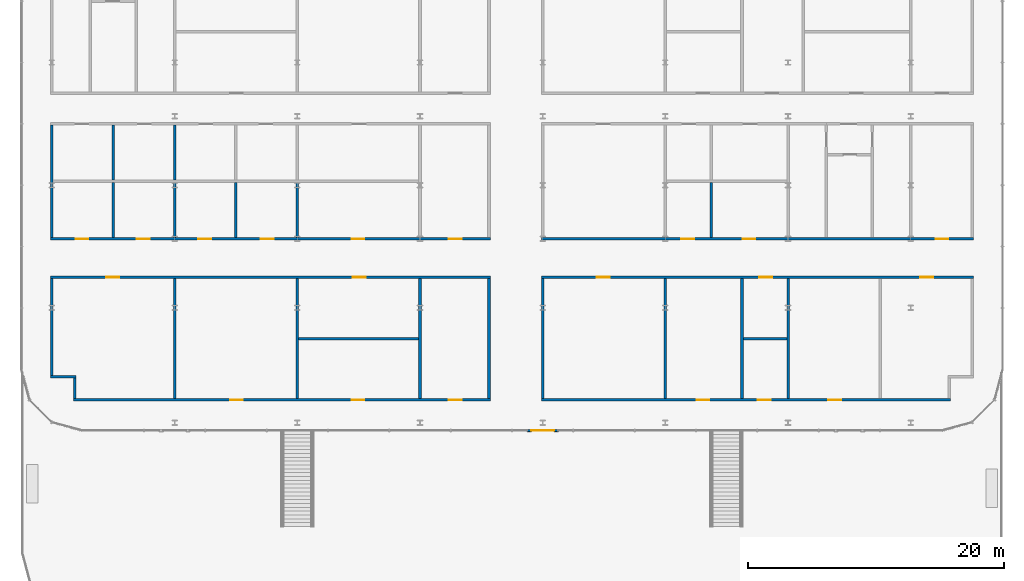
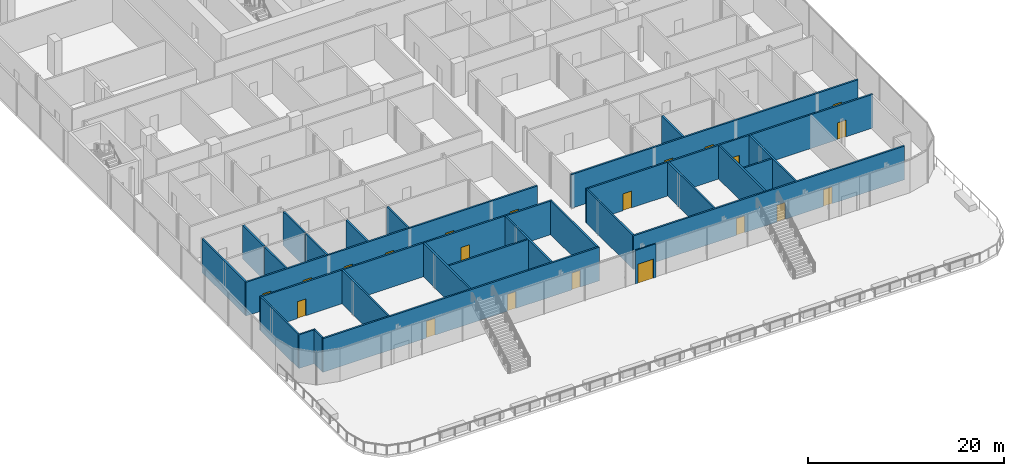
# One storey, part 31 of 45: 28 walls, 21 doors, 21 openings.
"""IFC4 building model written with IfcOpenShell, lengths in metres."""

from ifc_helpers import new_model, si_unit, direction, frame, frame_2d, origin, place, context, subcontext, project, spatial, rectangle, extrude, material, layer, layer_set, type_object, element, fill, save


model = new_model("IFC4")

# Units and contexts
model_context = context("Model", 3, precision=1e-05, world=origin(), true_north=direction((0.0, 1.0)))
body_context = subcontext(model_context, "Body", "Model", "MODEL_VIEW")
ifc_project = project(units=[si_unit("LENGTHUNIT", "METRE"), si_unit("AREAUNIT", "SQUARE_METRE"), si_unit("VOLUMEUNIT", "CUBIC_METRE"), si_unit("PLANEANGLEUNIT", "RADIAN"), si_unit("MASSUNIT", "GRAM", prefix="KILO")], contexts=[model_context])

# Site, building, storey
site_placement = place(None, origin())
site = spatial("IfcSite", under=ifc_project, at=site_placement, CompositionType="ELEMENT")
building_placement = place(site_placement, origin())
building = spatial("IfcBuilding", under=site, at=building_placement, Name="Madar Terraces", CompositionType="ELEMENT")
storey_placement = place(building_placement, frame((0.0, 0.0, 6.0)))
storey = spatial("IfcBuildingStorey", under=building, at=storey_placement, Name="L01", CompositionType="ELEMENT", Elevation=6.0)

# Wall, opening, door
ifc_material_1 = material(Name="Aluminium composite panel, black, over insulated backing", Category="aluminium")
ifc_layer_1 = layer(ifc_material_1, 0.14990234375)
ifc_layer_set_1 = layer_set([ifc_layer_1], Name="Facade bay panel 150")
wall_type_1 = type_object("IfcWallType", Name="Facade bay panel 150", PredefinedType="SOLIDWALL", material=ifc_layer_set_1)
wall_1_placement = place(storey_placement, frame((32.39990234375, -38.39990234375, 0.0), z_axis=(0.0, 0.0, 1.0), x_axis=(1.0, 0.0, 0.0)))
wall_1 = element("IfcWall", 1, at=wall_1_placement, inside=storey, type_object=wall_type_1, Name="Facade bay panel", PredefinedType="SOLIDWALL", context=body_context, shape_type="SweptSolid", body=[
    extrude(rectangle(XDim=2.400146484375, YDim=0.14990234375, at=frame_2d((1.2001953125, 0.0))), origin(), (0.0, 0.0, 1.0), 4.199951171875),
])
opening_1_placement = place(wall_1_placement, frame((0.300048828125, 0.0, 0.0)))
opening_1 = element("IfcOpeningElement", 2, at=opening_1_placement, cuts=wall_1, Name="Opening ED1", PredefinedType="OPENING", context=body_context, shape_type="SweptSolid", body=[
    extrude(rectangle(XDim=1.800048828125, YDim=2.39990234375, at=frame_2d((0.89990234375, 1.199951171875))), frame((0.0, 0.0849609375, 0.0), z_axis=(0.0, -1.0, 0.0), x_axis=(1.0, 0.0, 0.0)), (0.0, 0.0, 1.0), 0.169921875),
])
ifc_material_2 = material(Name="Glass, clear, with black aluminium frame", Category="aluminium")
door_type_1 = type_object("IfcDoorType", Name="Balcony and terrace sliding door 1800 x 2400", OperationType="SLIDING_TO_LEFT", PredefinedType="DOOR", material=ifc_material_2)
door_1_placement = place(opening_1_placement, origin())
door_1 = element("IfcDoor", 3, at=door_1_placement, inside=storey, type_object=door_type_1, Name="Balcony door", OperationType="SLIDING_TO_RIGHT", OverallHeight=2.39990234375, OverallWidth=1.800048828125, PredefinedType="DOOR", context=body_context, shape_type="SweptSolid", body=[
    extrude(rectangle(XDim=1.800048828125, YDim=2.39990234375, at=frame_2d((0.89990234375, 1.199951171875))), frame((0.0, 0.02490234375, 0.0), z_axis=(0.0, -1.0, 0.0), x_axis=(1.0, 0.0, 0.0)), (0.0, 0.0, 1.0), 0.050048828125),
])
fill(opening_1, door_1)

# Wall, openings, doors
ifc_material_3 = material(Name="Gypsum board partition, fire-rated")
ifc_layer_2 = layer(ifc_material_3, 0.199951171875)
ifc_layer_set_2 = layer_set([ifc_layer_2], Name="Partition 200 EI 60")
wall_type_2 = type_object("IfcWallType", Name="Partition 200 EI 60", PredefinedType="PARTITIONING", material=ifc_layer_set_2)
wall_2_placement = place(storey_placement, frame((-3.10009765625, -36.0, 0.0), z_axis=(0.0, 0.0, 1.0), x_axis=(1.0, 0.0, 0.0)))
wall_2 = element("IfcWall", 4, at=wall_2_placement, inside=storey, type_object=wall_type_2, Name="Wall OFFICE + SPECIMEN STORE", PredefinedType="PARTITIONING", context=body_context, shape_type="SweptSolid", body=[
    extrude(rectangle(XDim=32.60009765625, YDim=0.199951171875, at=frame_2d((16.300048828125, 0.0))), origin(), (0.0, 0.0, 1.0), 4.199951171875),
])
opening_2_placement = place(wall_2_placement, frame((12.25, 0.0, 0.0)))
opening_2 = element("IfcOpeningElement", 5, at=opening_2_placement, cuts=wall_2, Name="Opening D31", PredefinedType="OPENING", context=body_context, shape_type="SweptSolid", body=[
    extrude(rectangle(XDim=1.0, YDim=2.10009765625, at=frame_2d((0.5, 1.050048828125))), frame((0.0, 0.10986328125, 0.0), z_axis=(0.0, -1.0, 0.0), x_axis=(1.0, 0.0, 0.0)), (0.0, 0.0, 1.0), 0.219970703125),
])
opening_3_placement = place(wall_2_placement, frame((21.75, 0.0, 0.0)))
opening_3 = element("IfcOpeningElement", 6, at=opening_3_placement, cuts=wall_2, Name="Opening D31", PredefinedType="OPENING", context=body_context, shape_type="SweptSolid", body=[
    extrude(rectangle(XDim=1.0, YDim=2.10009765625, at=frame_2d((0.5, 1.050048828125))), frame((0.0, 0.10986328125, 0.0), z_axis=(0.0, -1.0, 0.0), x_axis=(1.0, 0.0, 0.0)), (0.0, 0.0, 1.0), 0.219970703125),
])
opening_4_placement = place(wall_2_placement, frame((29.35009765625, 0.0, 0.0)))
opening_4 = element("IfcOpeningElement", 7, at=opening_4_placement, cuts=wall_2, Name="Opening D31", PredefinedType="OPENING", context=body_context, shape_type="SweptSolid", body=[
    extrude(rectangle(XDim=1.0, YDim=2.10009765625, at=frame_2d((0.5, 1.050048828125))), frame((0.0, 0.10986328125, 0.0), z_axis=(0.0, -1.0, 0.0), x_axis=(1.0, 0.0, 0.0)), (0.0, 0.0, 1.0), 0.219970703125),
])
ifc_material_4 = material(Name="Timber door leaf, fire-rated", Category="wood")
door_type_2 = type_object("IfcDoorType", Name="Podium door 1000 x 2100 FD30S", OperationType="NOTDEFINED", PredefinedType="DOOR", material=ifc_material_4)
door_2_placement = place(opening_2_placement, origin())
door_2 = element("IfcDoor", 8, at=door_2_placement, inside=storey, type_object=door_type_2, Name="Door STAFF ROOM / PODIUM CORRIDOR", OperationType="SINGLE_SWING_RIGHT", OverallHeight=2.10009765625, OverallWidth=1.0, PredefinedType="DOOR", context=body_context, shape_type="SweptSolid", body=[
    extrude(rectangle(XDim=1.0, YDim=2.10009765625, at=frame_2d((0.5, 1.050048828125))), frame((0.0, 0.02490234375, 0.0), z_axis=(0.0, -1.0, 0.0), x_axis=(1.0, 0.0, 0.0)), (0.0, 0.0, 1.0), 0.050048828125),
])
fill(opening_2, door_2)
door_3_placement = place(opening_3_placement, origin())
door_3 = element("IfcDoor", 9, at=door_3_placement, inside=storey, type_object=door_type_2, Name="Door SPECIMEN STORE / PODIUM CORRIDOR", OperationType="SINGLE_SWING_LEFT", OverallHeight=2.10009765625, OverallWidth=1.0, PredefinedType="DOOR", context=body_context, shape_type="SweptSolid", body=[
    extrude(rectangle(XDim=1.0, YDim=2.10009765625, at=frame_2d((0.5, 1.050048828125))), frame((0.0, 0.02490234375, 0.0), z_axis=(0.0, -1.0, 0.0), x_axis=(1.0, 0.0, 0.0)), (0.0, 0.0, 1.0), 0.050048828125),
])
fill(opening_3, door_3)
door_4_placement = place(opening_4_placement, origin())
door_4 = element("IfcDoor", 10, at=door_4_placement, inside=storey, type_object=door_type_2, Name="Door OFFICE / PODIUM CORRIDOR", OperationType="SINGLE_SWING_RIGHT", OverallHeight=2.10009765625, OverallWidth=1.0, PredefinedType="DOOR", context=body_context, shape_type="SweptSolid", body=[
    extrude(rectangle(XDim=1.0, YDim=2.10009765625, at=frame_2d((0.5, 1.050048828125))), frame((0.0, 0.02490234375, 0.0), z_axis=(0.0, -1.0, 0.0), x_axis=(1.0, 0.0, 0.0)), (0.0, 0.0, 1.0), 0.050048828125),
])
fill(opening_4, door_4)

wall_3_placement = place(storey_placement, frame((33.5, -36.0, 0.0), z_axis=(0.0, 0.0, 1.0), x_axis=(1.0, 0.0, 0.0)))
wall_3 = element("IfcWall", 11, at=wall_3_placement, inside=storey, type_object=wall_type_2, Name="Wall CONSULTING ROOM + OFFICE", PredefinedType="PARTITIONING", context=body_context, shape_type="SweptSolid", body=[
    extrude(rectangle(XDim=32.0, YDim=0.199951171875, at=frame_2d((16.0, 0.0))), origin(), (0.0, 0.0, 1.0), 4.199951171875),
])
opening_5_placement = place(wall_3_placement, frame((12.14990234375, 0.0, 0.0)))
opening_5 = element("IfcOpeningElement", 12, at=opening_5_placement, cuts=wall_3, Name="Opening D31", PredefinedType="OPENING", context=body_context, shape_type="SweptSolid", body=[
    extrude(rectangle(XDim=1.0, YDim=2.10009765625, at=frame_2d((0.5, 1.050048828125))), frame((0.0, 0.10986328125, 0.0), z_axis=(0.0, -1.0, 0.0), x_axis=(1.0, 0.0, 0.0)), (0.0, 0.0, 1.0), 0.219970703125),
])
opening_6_placement = place(wall_3_placement, frame((16.949951171875, 0.0, 0.0)))
opening_6 = element("IfcOpeningElement", 13, at=opening_6_placement, cuts=wall_3, Name="Opening D31", PredefinedType="OPENING", context=body_context, shape_type="SweptSolid", body=[
    extrude(rectangle(XDim=1.0, YDim=2.10009765625, at=frame_2d((0.5, 1.050048828125))), frame((0.0, 0.10986328125, 0.0), z_axis=(0.0, -1.0, 0.0), x_axis=(1.0, 0.0, 0.0)), (0.0, 0.0, 1.0), 0.219970703125),
])
opening_7_placement = place(wall_3_placement, frame((22.449951171875, 0.0, 0.0)))
opening_7 = element("IfcOpeningElement", 14, at=opening_7_placement, cuts=wall_3, Name="Opening D31", PredefinedType="OPENING", context=body_context, shape_type="SweptSolid", body=[
    extrude(rectangle(XDim=1.0, YDim=2.10009765625, at=frame_2d((0.5, 1.050048828125))), frame((0.0, 0.10986328125, 0.0), z_axis=(0.0, -1.0, 0.0), x_axis=(1.0, 0.0, 0.0)), (0.0, 0.0, 1.0), 0.219970703125),
])
door_5_placement = place(opening_5_placement, origin())
door_5 = element("IfcDoor", 15, at=door_5_placement, inside=storey, type_object=door_type_2, Name="Door OFFICE / PODIUM CORRIDOR", OperationType="SINGLE_SWING_LEFT", OverallHeight=2.10009765625, OverallWidth=1.0, PredefinedType="DOOR", context=body_context, shape_type="SweptSolid", body=[
    extrude(rectangle(XDim=1.0, YDim=2.10009765625, at=frame_2d((0.5, 1.050048828125))), frame((0.0, 0.02490234375, 0.0), z_axis=(0.0, -1.0, 0.0), x_axis=(1.0, 0.0, 0.0)), (0.0, 0.0, 1.0), 0.050048828125),
])
fill(opening_5, door_5)
door_6_placement = place(opening_6_placement, origin())
door_6 = element("IfcDoor", 16, at=door_6_placement, inside=storey, type_object=door_type_2, Name="Door CONSULTING ROOM / PODIUM CORRIDOR", OperationType="SINGLE_SWING_LEFT", OverallHeight=2.10009765625, OverallWidth=1.0, PredefinedType="DOOR", context=body_context, shape_type="SweptSolid", body=[
    extrude(rectangle(XDim=1.0, YDim=2.10009765625, at=frame_2d((0.5, 1.050048828125))), frame((0.0, 0.02490234375, 0.0), z_axis=(0.0, -1.0, 0.0), x_axis=(1.0, 0.0, 0.0)), (0.0, 0.0, 1.0), 0.050048828125),
])
fill(opening_6, door_6)
door_7_placement = place(opening_7_placement, origin())
door_7 = element("IfcDoor", 17, at=door_7_placement, inside=storey, type_object=door_type_2, Name="Door TREATMENT ROOM / PODIUM CORRIDOR", OperationType="SINGLE_SWING_RIGHT", OverallHeight=2.10009765625, OverallWidth=1.0, PredefinedType="DOOR", context=body_context, shape_type="SweptSolid", body=[
    extrude(rectangle(XDim=1.0, YDim=2.10009765625, at=frame_2d((0.5, 1.050048828125))), frame((0.0, 0.02490234375, 0.0), z_axis=(0.0, -1.0, 0.0), x_axis=(1.0, 0.0, 0.0)), (0.0, 0.0, 1.0), 0.050048828125),
])
fill(opening_7, door_7)

# Walls
wall_4_placement = place(storey_placement, frame((-4.89990234375, -34.199951171875, 0.0), z_axis=(0.0, 0.0, 1.0), x_axis=(1.0, 0.0, 0.0)))
element("IfcWall", 18, at=wall_4_placement, inside=storey, type_object=wall_type_2, Name="Wall STAFF ROOM / PODIUM CORRIDOR", PredefinedType="PARTITIONING", context=body_context, shape_type="SweptSolid", body=[
    extrude(rectangle(XDim=2.0, YDim=0.199951171875, at=frame_2d((1.0, 0.0))), origin(), (0.0, 0.0, 1.0), 4.199951171875),
])
wall_5_placement = place(storey_placement, frame((14.5, -31.199951171875, 0.0), z_axis=(0.0, 0.0, 1.0), x_axis=(1.0, 0.0, 0.0)))
element("IfcWall", 19, at=wall_5_placement, inside=storey, type_object=wall_type_2, Name="Wall RECORDS STORE / SPECIMEN STORE", PredefinedType="PARTITIONING", context=body_context, shape_type="SweptSolid", body=[
    extrude(rectangle(XDim=9.39990234375, YDim=0.199951171875, at=frame_2d((4.699951171875, 0.0))), origin(), (0.0, 0.0, 1.0), 4.199951171875),
])
wall_6_placement = place(storey_placement, frame((49.300048828125, -31.199951171875, 0.0), z_axis=(0.0, 0.0, 1.0), x_axis=(1.0, 0.0, 0.0)))
element("IfcWall", 20, at=wall_6_placement, inside=storey, type_object=wall_type_2, Name="Wall CONSULTING ROOM / CONSULTING ROOM", PredefinedType="PARTITIONING", context=body_context, shape_type="SweptSolid", body=[
    extrude(rectangle(XDim=3.39990234375, YDim=0.199951171875, at=frame_2d((1.699951171875, 0.0))), origin(), (0.0, 0.0, 1.0), 4.199951171875),
])

# Wall, openings, doors
wall_7_placement = place(storey_placement, frame((29.5, -26.39990234375, 0.0), z_axis=(0.0, 0.0, 1.0), x_axis=(-1.0, 0.0, 0.0)))
wall_7 = element("IfcWall", 21, at=wall_7_placement, inside=storey, type_object=wall_type_2, Name="Wall OFFICE + RECORDS STORE", PredefinedType="PARTITIONING", context=body_context, shape_type="SweptSolid", body=[
    extrude(rectangle(XDim=34.39990234375, YDim=0.199951171875, at=frame_2d((17.199951171875, 0.0))), origin(), (0.0, 0.0, 1.0), 4.199951171875),
])
opening_8_placement = place(wall_7_placement, frame((29.050048828125, 0.0, 0.0)))
opening_8 = element("IfcOpeningElement", 22, at=opening_8_placement, cuts=wall_7, Name="Opening D31", PredefinedType="OPENING", context=body_context, shape_type="SweptSolid", body=[
    extrude(rectangle(XDim=1.0, YDim=2.10009765625, at=frame_2d((0.5, 1.050048828125))), frame((0.0, 0.10986328125, 0.0), z_axis=(0.0, -1.0, 0.0), x_axis=(1.0, 0.0, 0.0)), (0.0, 0.0, 1.0), 0.219970703125),
])
opening_9_placement = place(wall_7_placement, frame((9.75, 0.0, 0.0)))
opening_9 = element("IfcOpeningElement", 23, at=opening_9_placement, cuts=wall_7, Name="Opening D31", PredefinedType="OPENING", context=body_context, shape_type="SweptSolid", body=[
    extrude(rectangle(XDim=1.0, YDim=2.10009765625, at=frame_2d((0.5, 1.050048828125))), frame((0.0, 0.10986328125, 0.0), z_axis=(0.0, -1.0, 0.0), x_axis=(1.0, 0.0, 0.0)), (0.0, 0.0, 1.0), 0.219970703125),
])
door_8_placement = place(opening_8_placement, origin())
door_8 = element("IfcDoor", 24, at=door_8_placement, inside=storey, type_object=door_type_2, Name="Door STAFF ROOM / PODIUM CORRIDOR", OperationType="SINGLE_SWING_LEFT", OverallHeight=2.10009765625, OverallWidth=1.0, PredefinedType="DOOR", context=body_context, shape_type="SweptSolid", body=[
    extrude(rectangle(XDim=1.0, YDim=2.10009765625, at=frame_2d((0.5, 1.050048828125))), frame((0.0, 0.02490234375, 0.0), z_axis=(0.0, -1.0, 0.0), x_axis=(1.0, 0.0, 0.0)), (0.0, 0.0, 1.0), 0.050048828125),
])
fill(opening_8, door_8)
door_9_placement = place(opening_9_placement, origin())
door_9 = element("IfcDoor", 25, at=door_9_placement, inside=storey, type_object=door_type_2, Name="Door RECORDS STORE / PODIUM CORRIDOR", OperationType="SINGLE_SWING_LEFT", OverallHeight=2.10009765625, OverallWidth=1.0, PredefinedType="DOOR", context=body_context, shape_type="SweptSolid", body=[
    extrude(rectangle(XDim=1.0, YDim=2.10009765625, at=frame_2d((0.5, 1.050048828125))), frame((0.0, 0.02490234375, 0.0), z_axis=(0.0, -1.0, 0.0), x_axis=(1.0, 0.0, 0.0)), (0.0, 0.0, 1.0), 0.050048828125),
])
fill(opening_9, door_9)

wall_8_placement = place(storey_placement, frame((67.300048828125, -26.39990234375, 0.0), z_axis=(0.0, 0.0, 1.0), x_axis=(-1.0, 0.0, 0.0)))
wall_8 = element("IfcWall", 26, at=wall_8_placement, inside=storey, type_object=wall_type_2, Name="Wall CONSULTING ROOM + OFFICE", PredefinedType="PARTITIONING", context=body_context, shape_type="SweptSolid", body=[
    extrude(rectangle(XDim=33.800048828125, YDim=0.199951171875, at=frame_2d((16.89990234375, 0.0))), origin(), (0.0, 0.0, 1.0), 4.199951171875),
])
opening_10_placement = place(wall_8_placement, frame((28.449951171875, 0.0, 0.0)))
opening_10 = element("IfcOpeningElement", 27, at=opening_10_placement, cuts=wall_8, Name="Opening D31", PredefinedType="OPENING", context=body_context, shape_type="SweptSolid", body=[
    extrude(rectangle(XDim=1.0, YDim=2.10009765625, at=frame_2d((0.5, 1.050048828125))), frame((0.0, 0.10986328125, 0.0), z_axis=(0.0, -1.0, 0.0), x_axis=(1.0, 0.0, 0.0)), (0.0, 0.0, 1.0), 0.219970703125),
])
opening_11_placement = place(wall_8_placement, frame((15.75, 0.0, 0.0)))
opening_11 = element("IfcOpeningElement", 28, at=opening_11_placement, cuts=wall_8, Name="Opening D31", PredefinedType="OPENING", context=body_context, shape_type="SweptSolid", body=[
    extrude(rectangle(XDim=1.0, YDim=2.10009765625, at=frame_2d((0.5, 1.050048828125))), frame((0.0, 0.10986328125, 0.0), z_axis=(0.0, -1.0, 0.0), x_axis=(1.0, 0.0, 0.0)), (0.0, 0.0, 1.0), 0.219970703125),
])
opening_12_placement = place(wall_8_placement, frame((3.14990234375, 0.0, 0.0)))
opening_12 = element("IfcOpeningElement", 29, at=opening_12_placement, cuts=wall_8, Name="Opening D31", PredefinedType="OPENING", context=body_context, shape_type="SweptSolid", body=[
    extrude(rectangle(XDim=1.0, YDim=2.10009765625, at=frame_2d((0.5, 1.050048828125))), frame((0.0, 0.10986328125, 0.0), z_axis=(0.0, -1.0, 0.0), x_axis=(1.0, 0.0, 0.0)), (0.0, 0.0, 1.0), 0.219970703125),
])
door_10_placement = place(opening_10_placement, origin())
door_10 = element("IfcDoor", 30, at=door_10_placement, inside=storey, type_object=door_type_2, Name="Door OFFICE / PODIUM CORRIDOR", OperationType="SINGLE_SWING_LEFT", OverallHeight=2.10009765625, OverallWidth=1.0, PredefinedType="DOOR", context=body_context, shape_type="SweptSolid", body=[
    extrude(rectangle(XDim=1.0, YDim=2.10009765625, at=frame_2d((0.5, 1.050048828125))), frame((0.0, 0.02490234375, 0.0), z_axis=(0.0, -1.0, 0.0), x_axis=(1.0, 0.0, 0.0)), (0.0, 0.0, 1.0), 0.050048828125),
])
fill(opening_10, door_10)
door_11_placement = place(opening_11_placement, origin())
door_11 = element("IfcDoor", 31, at=door_11_placement, inside=storey, type_object=door_type_2, Name="Door CONSULTING ROOM / PODIUM CORRIDOR", OperationType="SINGLE_SWING_LEFT", OverallHeight=2.10009765625, OverallWidth=1.0, PredefinedType="DOOR", context=body_context, shape_type="SweptSolid", body=[
    extrude(rectangle(XDim=1.0, YDim=2.10009765625, at=frame_2d((0.5, 1.050048828125))), frame((0.0, 0.02490234375, 0.0), z_axis=(0.0, -1.0, 0.0), x_axis=(1.0, 0.0, 0.0)), (0.0, 0.0, 1.0), 0.050048828125),
])
fill(opening_11, door_11)
door_12_placement = place(opening_12_placement, origin())
door_12 = element("IfcDoor", 32, at=door_12_placement, inside=storey, type_object=door_type_2, Name="Door PHARMACY STORE / PODIUM CORRIDOR", OperationType="SINGLE_SWING_LEFT", OverallHeight=2.10009765625, OverallWidth=1.0, PredefinedType="DOOR", context=body_context, shape_type="SweptSolid", body=[
    extrude(rectangle(XDim=1.0, YDim=2.10009765625, at=frame_2d((0.5, 1.050048828125))), frame((0.0, 0.02490234375, 0.0), z_axis=(0.0, -1.0, 0.0), x_axis=(1.0, 0.0, 0.0)), (0.0, 0.0, 1.0), 0.050048828125),
])
fill(opening_12, door_12)

wall_9_placement = place(storey_placement, frame((-4.89990234375, -23.39990234375, 0.0), z_axis=(0.0, 0.0, 1.0), x_axis=(1.0, 0.0, 0.0)))
wall_9 = element("IfcWall", 33, at=wall_9_placement, inside=storey, type_object=wall_type_2, Name="Wall CONSULTING ROOM + DENTAL SURGERY", PredefinedType="PARTITIONING", context=body_context, shape_type="SweptSolid", body=[
    extrude(rectangle(XDim=34.39990234375, YDim=0.199951171875, at=frame_2d((17.199951171875, 0.0))), origin(), (0.0, 0.0, 1.0), 4.199951171875),
])
opening_13_placement = place(wall_9_placement, frame((1.949951171875, 0.0, 0.0)))
opening_13 = element("IfcOpeningElement", 34, at=opening_13_placement, cuts=wall_9, Name="Opening D31", PredefinedType="OPENING", context=body_context, shape_type="SweptSolid", body=[
    extrude(rectangle(XDim=1.0, YDim=2.10009765625, at=frame_2d((0.5, 1.050048828125))), frame((0.0, 0.10986328125, 0.0), z_axis=(0.0, -1.0, 0.0), x_axis=(1.0, 0.0, 0.0)), (0.0, 0.0, 1.0), 0.219970703125),
])
opening_14_placement = place(wall_9_placement, frame((6.75, 0.0, 0.0)))
opening_14 = element("IfcOpeningElement", 35, at=opening_14_placement, cuts=wall_9, Name="Opening D31", PredefinedType="OPENING", context=body_context, shape_type="SweptSolid", body=[
    extrude(rectangle(XDim=1.0, YDim=2.10009765625, at=frame_2d((0.5, 1.050048828125))), frame((0.0, 0.10986328125, 0.0), z_axis=(0.0, -1.0, 0.0), x_axis=(1.0, 0.0, 0.0)), (0.0, 0.0, 1.0), 0.219970703125),
])
opening_15_placement = place(wall_9_placement, frame((11.550048828125, 0.0, 0.0)))
opening_15 = element("IfcOpeningElement", 36, at=opening_15_placement, cuts=wall_9, Name="Opening D31", PredefinedType="OPENING", context=body_context, shape_type="SweptSolid", body=[
    extrude(rectangle(XDim=1.0, YDim=2.10009765625, at=frame_2d((0.5, 1.050048828125))), frame((0.0, 0.10986328125, 0.0), z_axis=(0.0, -1.0, 0.0), x_axis=(1.0, 0.0, 0.0)), (0.0, 0.0, 1.0), 0.219970703125),
])
opening_16_placement = place(wall_9_placement, frame((16.449951171875, 0.0, 0.0)))
opening_16 = element("IfcOpeningElement", 37, at=opening_16_placement, cuts=wall_9, Name="Opening D31", PredefinedType="OPENING", context=body_context, shape_type="SweptSolid", body=[
    extrude(rectangle(XDim=1.0, YDim=2.10009765625, at=frame_2d((0.5, 1.050048828125))), frame((0.0, 0.10986328125, 0.0), z_axis=(0.0, -1.0, 0.0), x_axis=(1.0, 0.0, 0.0)), (0.0, 0.0, 1.0), 0.219970703125),
])
opening_17_placement = place(wall_9_placement, frame((23.550048828125, 0.0, 0.0)))
opening_17 = element("IfcOpeningElement", 38, at=opening_17_placement, cuts=wall_9, Name="Opening D31", PredefinedType="OPENING", context=body_context, shape_type="SweptSolid", body=[
    extrude(rectangle(XDim=1.0, YDim=2.10009765625, at=frame_2d((0.5, 1.050048828125))), frame((0.0, 0.10986328125, 0.0), z_axis=(0.0, -1.0, 0.0), x_axis=(1.0, 0.0, 0.0)), (0.0, 0.0, 1.0), 0.219970703125),
])
opening_18_placement = place(wall_9_placement, frame((31.14990234375, 0.0, 0.0)))
opening_18 = element("IfcOpeningElement", 39, at=opening_18_placement, cuts=wall_9, Name="Opening D31", PredefinedType="OPENING", context=body_context, shape_type="SweptSolid", body=[
    extrude(rectangle(XDim=1.0, YDim=2.10009765625, at=frame_2d((0.5, 1.050048828125))), frame((0.0, 0.10986328125, 0.0), z_axis=(0.0, -1.0, 0.0), x_axis=(1.0, 0.0, 0.0)), (0.0, 0.0, 1.0), 0.219970703125),
])
door_13_placement = place(opening_13_placement, origin())
door_13 = element("IfcDoor", 40, at=door_13_placement, inside=storey, type_object=door_type_2, Name="Door CONSULTING ROOM / PODIUM CORRIDOR", OperationType="SINGLE_SWING_RIGHT", OverallHeight=2.10009765625, OverallWidth=1.0, PredefinedType="DOOR", context=body_context, shape_type="SweptSolid", body=[
    extrude(rectangle(XDim=1.0, YDim=2.10009765625, at=frame_2d((0.5, 1.050048828125))), frame((0.0, 0.02490234375, 0.0), z_axis=(0.0, -1.0, 0.0), x_axis=(1.0, 0.0, 0.0)), (0.0, 0.0, 1.0), 0.050048828125),
])
fill(opening_13, door_13)
door_14_placement = place(opening_14_placement, origin())
door_14 = element("IfcDoor", 41, at=door_14_placement, inside=storey, type_object=door_type_2, Name="Door CONSULTING ROOM / PODIUM CORRIDOR", OperationType="SINGLE_SWING_LEFT", OverallHeight=2.10009765625, OverallWidth=1.0, PredefinedType="DOOR", context=body_context, shape_type="SweptSolid", body=[
    extrude(rectangle(XDim=1.0, YDim=2.10009765625, at=frame_2d((0.5, 1.050048828125))), frame((0.0, 0.02490234375, 0.0), z_axis=(0.0, -1.0, 0.0), x_axis=(1.0, 0.0, 0.0)), (0.0, 0.0, 1.0), 0.050048828125),
])
fill(opening_14, door_14)
door_15_placement = place(opening_15_placement, origin())
door_15 = element("IfcDoor", 42, at=door_15_placement, inside=storey, type_object=door_type_2, Name="Door CONSULTING ROOM / PODIUM CORRIDOR", OperationType="SINGLE_SWING_LEFT", OverallHeight=2.10009765625, OverallWidth=1.0, PredefinedType="DOOR", context=body_context, shape_type="SweptSolid", body=[
    extrude(rectangle(XDim=1.0, YDim=2.10009765625, at=frame_2d((0.5, 1.050048828125))), frame((0.0, 0.02490234375, 0.0), z_axis=(0.0, -1.0, 0.0), x_axis=(1.0, 0.0, 0.0)), (0.0, 0.0, 1.0), 0.050048828125),
])
fill(opening_15, door_15)
door_16_placement = place(opening_16_placement, origin())
door_16 = element("IfcDoor", 43, at=door_16_placement, inside=storey, type_object=door_type_2, Name="Door CONSULTING ROOM / PODIUM CORRIDOR", OperationType="SINGLE_SWING_RIGHT", OverallHeight=2.10009765625, OverallWidth=1.0, PredefinedType="DOOR", context=body_context, shape_type="SweptSolid", body=[
    extrude(rectangle(XDim=1.0, YDim=2.10009765625, at=frame_2d((0.5, 1.050048828125))), frame((0.0, 0.02490234375, 0.0), z_axis=(0.0, -1.0, 0.0), x_axis=(1.0, 0.0, 0.0)), (0.0, 0.0, 1.0), 0.050048828125),
])
fill(opening_16, door_16)
door_17_placement = place(opening_17_placement, origin())
door_17 = element("IfcDoor", 44, at=door_17_placement, inside=storey, type_object=door_type_2, Name="Door CONSULTING ROOM / PODIUM CORRIDOR", OperationType="SINGLE_SWING_LEFT", OverallHeight=2.10009765625, OverallWidth=1.0, PredefinedType="DOOR", context=body_context, shape_type="SweptSolid", body=[
    extrude(rectangle(XDim=1.0, YDim=2.10009765625, at=frame_2d((0.5, 1.050048828125))), frame((0.0, 0.02490234375, 0.0), z_axis=(0.0, -1.0, 0.0), x_axis=(1.0, 0.0, 0.0)), (0.0, 0.0, 1.0), 0.050048828125),
])
fill(opening_17, door_17)
door_18_placement = place(opening_18_placement, origin())
door_18 = element("IfcDoor", 45, at=door_18_placement, inside=storey, type_object=door_type_2, Name="Door DENTAL SURGERY / PODIUM CORRIDOR", OperationType="SINGLE_SWING_RIGHT", OverallHeight=2.10009765625, OverallWidth=1.0, PredefinedType="DOOR", context=body_context, shape_type="SweptSolid", body=[
    extrude(rectangle(XDim=1.0, YDim=2.10009765625, at=frame_2d((0.5, 1.050048828125))), frame((0.0, 0.02490234375, 0.0), z_axis=(0.0, -1.0, 0.0), x_axis=(1.0, 0.0, 0.0)), (0.0, 0.0, 1.0), 0.050048828125),
])
fill(opening_18, door_18)

wall_10_placement = place(storey_placement, frame((33.5, -23.39990234375, 0.0), z_axis=(0.0, 0.0, 1.0), x_axis=(1.0, 0.0, 0.0)))
wall_10 = element("IfcWall", 46, at=wall_10_placement, inside=storey, type_object=wall_type_2, Name="Wall ACCESSIBLE WC + DENTAL SURGERY", PredefinedType="PARTITIONING", context=body_context, shape_type="SweptSolid", body=[
    extrude(rectangle(XDim=33.800048828125, YDim=0.199951171875, at=frame_2d((16.89990234375, 0.0))), origin(), (0.0, 0.0, 1.0), 4.199951171875),
])
opening_19_placement = place(wall_10_placement, frame((10.949951171875, 0.0, 0.0)))
opening_19 = element("IfcOpeningElement", 47, at=opening_19_placement, cuts=wall_10, Name="Opening D31", PredefinedType="OPENING", context=body_context, shape_type="SweptSolid", body=[
    extrude(rectangle(XDim=1.0, YDim=2.10009765625, at=frame_2d((0.5, 1.050048828125))), frame((0.0, 0.10986328125, 0.0), z_axis=(0.0, -1.0, 0.0), x_axis=(1.0, 0.0, 0.0)), (0.0, 0.0, 1.0), 0.219970703125),
])
opening_20_placement = place(wall_10_placement, frame((15.75, 0.0, 0.0)))
opening_20 = element("IfcOpeningElement", 48, at=opening_20_placement, cuts=wall_10, Name="Opening D31", PredefinedType="OPENING", context=body_context, shape_type="SweptSolid", body=[
    extrude(rectangle(XDim=1.0, YDim=2.10009765625, at=frame_2d((0.5, 1.050048828125))), frame((0.0, 0.10986328125, 0.0), z_axis=(0.0, -1.0, 0.0), x_axis=(1.0, 0.0, 0.0)), (0.0, 0.0, 1.0), 0.219970703125),
])
opening_21_placement = place(wall_10_placement, frame((30.85009765625, 0.0, 0.0)))
opening_21 = element("IfcOpeningElement", 49, at=opening_21_placement, cuts=wall_10, Name="Opening D31", PredefinedType="OPENING", context=body_context, shape_type="SweptSolid", body=[
    extrude(rectangle(XDim=1.0, YDim=2.10009765625, at=frame_2d((0.5, 1.050048828125))), frame((0.0, 0.10986328125, 0.0), z_axis=(0.0, -1.0, 0.0), x_axis=(1.0, 0.0, 0.0)), (0.0, 0.0, 1.0), 0.219970703125),
])
door_19_placement = place(opening_19_placement, origin())
door_19 = element("IfcDoor", 50, at=door_19_placement, inside=storey, type_object=door_type_2, Name="Door DENTAL SURGERY / PODIUM CORRIDOR", OperationType="SINGLE_SWING_LEFT", OverallHeight=2.10009765625, OverallWidth=1.0, PredefinedType="DOOR", context=body_context, shape_type="SweptSolid", body=[
    extrude(rectangle(XDim=1.0, YDim=2.10009765625, at=frame_2d((0.5, 1.050048828125))), frame((0.0, 0.02490234375, 0.0), z_axis=(0.0, -1.0, 0.0), x_axis=(1.0, 0.0, 0.0)), (0.0, 0.0, 1.0), 0.050048828125),
])
fill(opening_19, door_19)
door_20_placement = place(opening_20_placement, origin())
door_20 = element("IfcDoor", 51, at=door_20_placement, inside=storey, type_object=door_type_2, Name="Door DIRTY UTILITY / PODIUM CORRIDOR", OperationType="SINGLE_SWING_LEFT", OverallHeight=2.10009765625, OverallWidth=1.0, PredefinedType="DOOR", context=body_context, shape_type="SweptSolid", body=[
    extrude(rectangle(XDim=1.0, YDim=2.10009765625, at=frame_2d((0.5, 1.050048828125))), frame((0.0, 0.02490234375, 0.0), z_axis=(0.0, -1.0, 0.0), x_axis=(1.0, 0.0, 0.0)), (0.0, 0.0, 1.0), 0.050048828125),
])
fill(opening_20, door_20)
door_21_placement = place(opening_21_placement, origin())
door_21 = element("IfcDoor", 52, at=door_21_placement, inside=storey, type_object=door_type_2, Name="Door STAFF ROOM / PODIUM CORRIDOR", OperationType="SINGLE_SWING_LEFT", OverallHeight=2.10009765625, OverallWidth=1.0, PredefinedType="DOOR", context=body_context, shape_type="SweptSolid", body=[
    extrude(rectangle(XDim=1.0, YDim=2.10009765625, at=frame_2d((0.5, 1.050048828125))), frame((0.0, 0.02490234375, 0.0), z_axis=(0.0, -1.0, 0.0), x_axis=(1.0, 0.0, 0.0)), (0.0, 0.0, 1.0), 0.050048828125),
])
fill(opening_21, door_21)

# Walls
wall_11_placement = place(storey_placement, frame((-4.800048828125, -34.10009765625, 0.0), z_axis=(0.0, 0.0, 1.0), x_axis=(0.0, 1.0, 0.0)))
element("IfcWall", 53, at=wall_11_placement, inside=storey, type_object=wall_type_2, Name="Wall STAFF ROOM / PODIUM CORRIDOR", PredefinedType="PARTITIONING", context=body_context, shape_type="SweptSolid", body=[
    extrude(rectangle(XDim=7.60009765625, YDim=0.199951171875, at=frame_2d((3.800048828125, 0.0))), origin(), (0.0, 0.0, 1.0), 4.199951171875),
])
wall_12_placement = place(storey_placement, frame((-4.800048828125, -23.300048828125, 0.0), z_axis=(0.0, 0.0, 1.0), x_axis=(0.0, 1.0, 0.0)))
element("IfcWall", 54, at=wall_12_placement, inside=storey, type_object=wall_type_2, Name="Wall CONSULTING ROOM", PredefinedType="PARTITIONING", context=body_context, shape_type="SweptSolid", body=[
    extrude(rectangle(XDim=8.800048828125, YDim=0.199951171875, at=frame_2d((4.39990234375, 0.0))), origin(), (0.0, 0.0, 1.0), 4.199951171875),
])
wall_13_placement = place(storey_placement, frame((-3.0, -35.89990234375, 0.0), z_axis=(0.0, 0.0, 1.0), x_axis=(0.0, 1.0, 0.0)))
element("IfcWall", 55, at=wall_13_placement, inside=storey, type_object=wall_type_2, Name="Wall STAFF ROOM / PODIUM CORRIDOR", PredefinedType="PARTITIONING", context=body_context, shape_type="SweptSolid", body=[
    extrude(rectangle(XDim=1.599853515625, YDim=0.199951171875, at=frame_2d((0.7998046875, 0.0))), origin(), (0.0, 0.0, 1.0), 4.199951171875),
])
for number, where, z_axis, x_axis, name in (
    (56, (0.0, -23.300048828125, 0.0), (0.0, 0.0, 1.0), (0.0, 1.0, 0.0), "Wall CONSULTING ROOM / CONSULTING ROOM"),
    (57, (0.0, -18.800048828125, 0.0), (0.0, 0.0, 1.0), (0.0, 1.0, 0.0), "Wall CONSULTING ROOM / CONSULTING ROOM"),
):
    element("IfcWall", number, at=place(storey_placement, frame(where, z_axis=z_axis, x_axis=x_axis)), inside=storey, type_object=wall_type_2, Name=name, PredefinedType="PARTITIONING", context=body_context, shape_type="SweptSolid", body=[
        extrude(rectangle(XDim=4.300048828125, YDim=0.199951171875, at=frame_2d((2.14990234375, 0.0))), origin(), (0.0, 0.0, 1.0), 4.199951171875),
    ])
wall_14_placement = place(storey_placement, frame((4.800048828125, -35.89990234375, 0.0), z_axis=(0.0, 0.0, 1.0), x_axis=(0.0, 1.0, 0.0)))
element("IfcWall", 58, at=wall_14_placement, inside=storey, type_object=wall_type_2, Name="Wall STAFF ROOM / STAFF ROOM", PredefinedType="PARTITIONING", context=body_context, shape_type="SweptSolid", body=[
    extrude(rectangle(XDim=9.39990234375, YDim=0.199951171875, at=frame_2d((4.699951171875, 0.0))), origin(), (0.0, 0.0, 1.0), 4.199951171875),
])
for number, where, z_axis, x_axis, name in (
    (59, (4.800048828125, -23.300048828125, 0.0), (0.0, 0.0, 1.0), (0.0, 1.0, 0.0), "Wall CONSULTING ROOM / CONSULTING ROOM"),
    (60, (4.800048828125, -18.800048828125, 0.0), (0.0, 0.0, 1.0), (0.0, 1.0, 0.0), "Wall CONSULTING ROOM / CONSULTING ROOM"),
    (61, (9.60009765625, -23.300048828125, 0.0), (0.0, 0.0, 1.0), (0.0, 1.0, 0.0), "Wall CONSULTING ROOM / CONSULTING ROOM"),
):
    element("IfcWall", number, at=place(storey_placement, frame(where, z_axis=z_axis, x_axis=x_axis)), inside=storey, type_object=wall_type_2, Name=name, PredefinedType="PARTITIONING", context=body_context, shape_type="SweptSolid", body=[
        extrude(rectangle(XDim=4.300048828125, YDim=0.199951171875, at=frame_2d((2.14990234375, 0.0))), origin(), (0.0, 0.0, 1.0), 4.199951171875),
    ])
wall_15_placement = place(storey_placement, frame((14.39990234375, -35.89990234375, 0.0), z_axis=(0.0, 0.0, 1.0), x_axis=(0.0, 1.0, 0.0)))
element("IfcWall", 62, at=wall_15_placement, inside=storey, type_object=wall_type_2, Name="Wall STAFF ROOM", PredefinedType="PARTITIONING", context=body_context, shape_type="SweptSolid", body=[
    extrude(rectangle(XDim=9.39990234375, YDim=0.199951171875, at=frame_2d((4.699951171875, 0.0))), origin(), (0.0, 0.0, 1.0), 4.199951171875),
])
wall_16_placement = place(storey_placement, frame((14.39990234375, -23.300048828125, 0.0), z_axis=(0.0, 0.0, 1.0), x_axis=(0.0, 1.0, 0.0)))
element("IfcWall", 63, at=wall_16_placement, inside=storey, type_object=wall_type_2, Name="Wall CONSULTING ROOM / CONSULTING ROOM", PredefinedType="PARTITIONING", context=body_context, shape_type="SweptSolid", body=[
    extrude(rectangle(XDim=4.300048828125, YDim=0.199951171875, at=frame_2d((2.14990234375, 0.0))), origin(), (0.0, 0.0, 1.0), 4.199951171875),
])
for number, where, z_axis, x_axis, name in (
    (64, (24.0, -35.89990234375, 0.0), (0.0, 0.0, 1.0), (0.0, 1.0, 0.0), "Wall RECORDS STORE + SPECIMEN STORE"),
    (65, (29.39990234375, -35.89990234375, 0.0), (0.0, 0.0, 1.0), (0.0, 1.0, 0.0), "Wall OFFICE / PODIUM CORRIDOR"),
    (66, (33.60009765625, -35.89990234375, 0.0), (0.0, 0.0, 1.0), (0.0, 1.0, 0.0), "Wall OFFICE / PODIUM CORRIDOR"),
    (67, (43.199951171875, -35.89990234375, 0.0), (0.0, 0.0, 1.0), (0.0, 1.0, 0.0), "Wall OFFICE / OFFICE"),
):
    element("IfcWall", number, at=place(storey_placement, frame(where, z_axis=z_axis, x_axis=x_axis)), inside=storey, type_object=wall_type_2, Name=name, PredefinedType="PARTITIONING", context=body_context, shape_type="SweptSolid", body=[
        extrude(rectangle(XDim=9.39990234375, YDim=0.199951171875, at=frame_2d((4.699951171875, 0.0))), origin(), (0.0, 0.0, 1.0), 4.199951171875),
    ])
wall_17_placement = place(storey_placement, frame((46.800048828125, -23.300048828125, 0.0), z_axis=(0.0, 0.0, 1.0), x_axis=(0.0, 1.0, 0.0)))
element("IfcWall", 68, at=wall_17_placement, inside=storey, type_object=wall_type_2, Name="Wall DENTAL SURGERY / DIRTY UTILITY", PredefinedType="PARTITIONING", context=body_context, shape_type="SweptSolid", body=[
    extrude(rectangle(XDim=4.300048828125, YDim=0.199951171875, at=frame_2d((2.14990234375, 0.0))), origin(), (0.0, 0.0, 1.0), 4.199951171875),
])
for number, where, z_axis, x_axis, name in (
    (69, (49.199951171875, -35.89990234375, 0.0), (0.0, 0.0, 1.0), (0.0, 1.0, 0.0), "Wall OFFICE"),
    (70, (52.800048828125, -35.89990234375, 0.0), (0.0, 0.0, 1.0), (0.0, 1.0, 0.0), "Wall CONSULTING ROOM"),
):
    element("IfcWall", number, at=place(storey_placement, frame(where, z_axis=z_axis, x_axis=x_axis)), inside=storey, type_object=wall_type_2, Name=name, PredefinedType="PARTITIONING", context=body_context, shape_type="SweptSolid", body=[
        extrude(rectangle(XDim=9.39990234375, YDim=0.199951171875, at=frame_2d((4.699951171875, 0.0))), origin(), (0.0, 0.0, 1.0), 4.199951171875),
    ])

save(model, "model.ifc")
